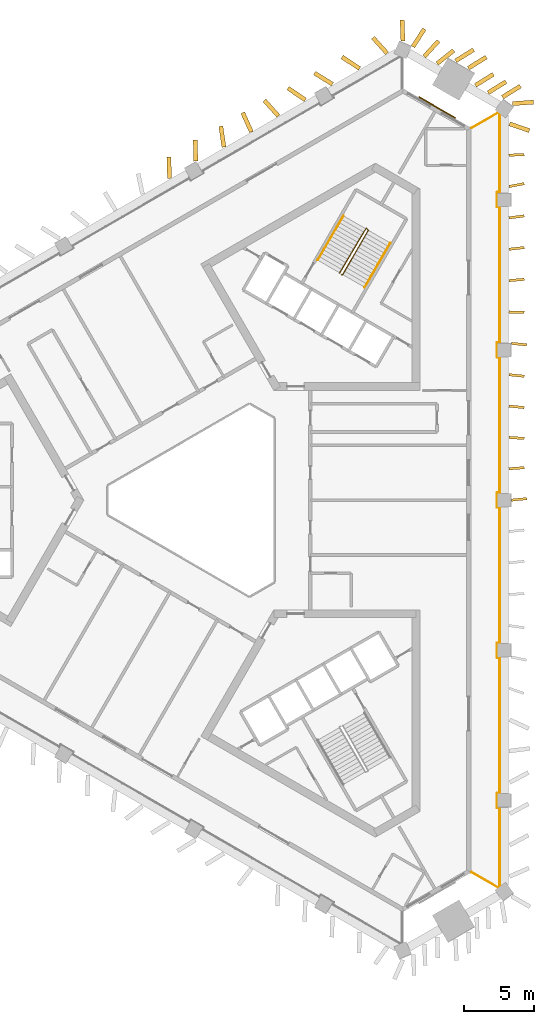
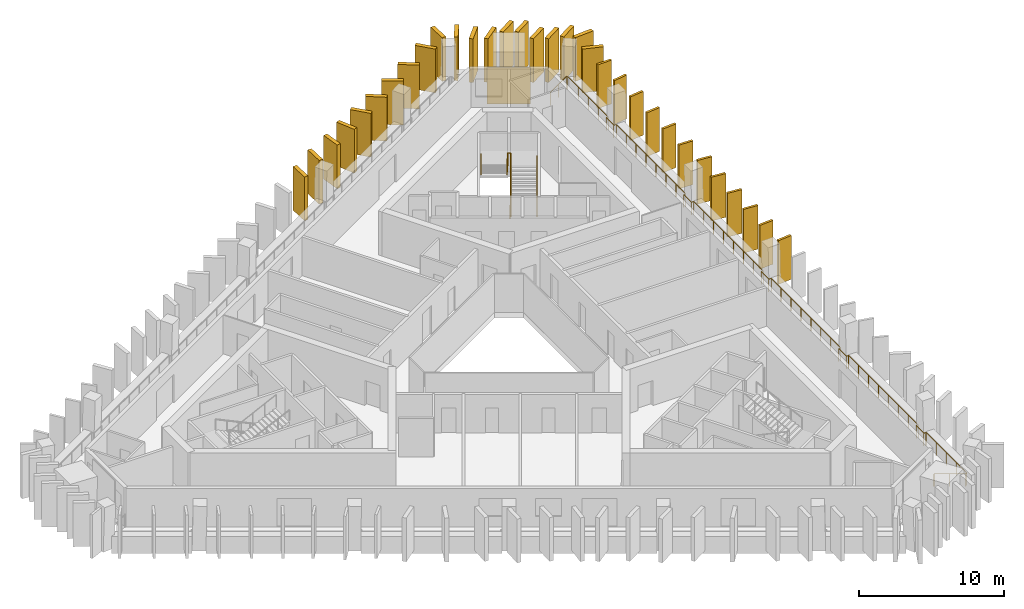
# One storey, part 9 of 9: 32 shading devices, 4 railings, 1 covering.
"""IFC4 building model written with IfcOpenShell, lengths in metres."""

import ifcopenshell
import ifcopenshell.guid

model = None  # the IFC model being written
_history = None  # IfcOwnerHistory: only IFC2X3 demands one
_inside = {}  # id of a spatial element -> (the spatial element, [elements in it])
_under = {}  # id of a project, library or spatial element -> (it, [spatial elements below it])
_declared = {}  # id of a project -> (the project, [libraries it declares])
_typed = {}  # id of a type object -> (the type object, [elements of that type])
_made_of = {}  # id of a material, layer set ... -> (it, [elements and type objects made of it])


def new_model(schema):
    """Start an empty IFC model of exactly this schema.

    Asked for "IFC4X3", IfcOpenShell would pick the latest addendum, in which some entities
    have other attributes; the version numbers below select the first issue.
    IFC2X3 requires an IfcOwnerHistory on every rooted entity: one is made here for all.
    """
    global model, _history
    if schema == "IFC4X3":
        model = ifcopenshell.file(schema_version=(4, 3, 0, 0))
    else:
        model = ifcopenshell.file(schema=schema)
    _inside.clear()
    _under.clear()
    _declared.clear()
    _typed.clear()
    _made_of.clear()
    _history = None
    if model.schema == "IFC2X3":
        org = make("IfcOrganization", Name="unknown")
        user = make(
            "IfcPersonAndOrganization",
            ThePerson=make("IfcPerson", FamilyName="unknown"),
            TheOrganization=org,
        )
        app = make(
            "IfcApplication",
            ApplicationDeveloper=org,
            Version="unknown",
            ApplicationFullName="unknown",
            ApplicationIdentifier="unknown",
        )
        _history = make(
            "IfcOwnerHistory",
            OwningUser=user,
            OwningApplication=app,
            ChangeAction="ADDED",
            CreationDate=0,
        )
    return model


def make(cls, **values):
    """One entity of the class cls with the attributes given. An attribute that is None is left unset."""
    return model.create_entity(
        cls, **{name: value for name, value in values.items() if value is not None}
    )


def rooted(cls, **values):
    """An entity with a GlobalId (a new one), such as an element, a storey or a relation."""
    return make(cls, GlobalId=ifcopenshell.guid.new(), OwnerHistory=_history, **values)


def si_unit(unit_type, name, prefix=None):
    """IfcSIUnit, for example si_unit("LENGTHUNIT", "METRE", prefix="MILLI")."""
    return make("IfcSIUnit", UnitType=unit_type, Prefix=prefix, Name=name)


def assignment(units):
    """IfcUnitAssignment: the units of a project."""
    return None if units is None else make("IfcUnitAssignment", Units=units)


def point(xyz):
    """IfcCartesianPoint."""
    return None if xyz is None else make("IfcCartesianPoint", Coordinates=xyz)


def direction(xyz):
    """IfcDirection."""
    return None if xyz is None else make("IfcDirection", DirectionRatios=xyz)


def frame(location, z_axis=None, x_axis=None):
    """IfcAxis2Placement3D, a coordinate frame: its origin and axes. An axis left out is left unset."""
    return make(
        "IfcAxis2Placement3D",
        Location=point(location),
        Axis=direction(z_axis),
        RefDirection=direction(x_axis),
    )


def frame_2d(location, x_axis=None):
    """IfcAxis2Placement2D, a coordinate frame in the plane: its origin and x axis."""
    return make(
        "IfcAxis2Placement2D", Location=point(location), RefDirection=direction(x_axis)
    )


def origin():
    """The frame at (0, 0, 0) with its axes left unset."""
    return frame((0.0, 0.0, 0.0))


def origin_2d():
    """The frame at (0, 0) in the plane with its x axis left unset."""
    return frame_2d((0.0, 0.0))


def place(relative_to, where):
    """IfcLocalPlacement: puts the frame where relative to a parent placement (None: the world)."""
    return make(
        "IfcLocalPlacement", PlacementRelTo=relative_to, RelativePlacement=where
    )


def context(
    kind, dimensions, precision=None, world=None, true_north=None, identifier=None
):
    """IfcGeometricRepresentationContext, for example the 3D "Model" context."""
    return make(
        "IfcGeometricRepresentationContext",
        ContextIdentifier=identifier,
        ContextType=kind,
        CoordinateSpaceDimension=dimensions,
        Precision=precision,
        WorldCoordinateSystem=world,
        TrueNorth=true_north,
    )


def subcontext(parent, identifier, kind, view, scale=None):
    """IfcGeometricRepresentationSubContext, for example "Body" below "Model"."""
    return make(
        "IfcGeometricRepresentationSubContext",
        ContextIdentifier=identifier,
        ContextType=kind,
        ParentContext=parent,
        TargetScale=scale,
        TargetView=view,
    )


def project(units=None, contexts=None):
    """IfcProject with its units and contexts."""
    return rooted(
        "IfcProject",
        Name="project",
        RepresentationContexts=contexts,
        UnitsInContext=assignment(units),
    )


def spatial(cls, under=None, at=None, **own):
    """A site, building, storey or space (cls), placed at a placement, below another one or the project."""
    s = rooted(cls, ObjectPlacement=at, **own)
    if under is not None:
        _under.setdefault(under.id(), (under, []))[1].append(s)
    return s


def profile(cls, at=None, kind="AREA", **sizes):
    """A parametric profile (cls). Its sizes go by their IFC names, for example OverallWidth=200.0."""
    return make(cls, ProfileType=kind, Position=at, **sizes)


def rectangle(**sizes):
    """IfcRectangleProfileDef."""
    return profile("IfcRectangleProfileDef", **sizes)


def circle(**sizes):
    """IfcCircleProfileDef."""
    return profile("IfcCircleProfileDef", **sizes)


def extrude(swept, where, along, depth):
    """IfcExtrudedAreaSolid: the profile swept, set in the frame where, extruded along a direction by depth."""
    return make(
        "IfcExtrudedAreaSolid",
        SweptArea=swept,
        Position=where,
        ExtrudedDirection=direction(along),
        Depth=depth,
    )


def shape(context_of_items, identifier, shape_type, items):
    """IfcShapeRepresentation: the items that make up one representation, for example the "Body"."""
    return make(
        "IfcShapeRepresentation",
        ContextOfItems=context_of_items,
        RepresentationIdentifier=identifier,
        RepresentationType=shape_type,
        Items=items,
    )


def material(Name=None, Category=None):
    """IfcMaterial."""
    return make("IfcMaterial", Name=Name, Category=Category)


def layer(
    of_material, thickness, ventilated=None, Name=None, Category=None, Priority=None
):
    """IfcMaterialLayer: one layer of a wall or slab, of a material (None: an air gap)."""
    return make(
        "IfcMaterialLayer",
        Material=of_material,
        LayerThickness=thickness,
        IsVentilated=ventilated,
        Name=Name,
        Category=Category,
        Priority=Priority,
    )


def layer_set(layers, Name=None):
    """IfcMaterialLayerSet."""
    return make("IfcMaterialLayerSet", MaterialLayers=layers, LayerSetName=Name)


def made_of(thing, what):
    """Note that an element or type object is made of a material, layer set ...; save() writes the relation."""
    if what is not None:
        _made_of.setdefault(what.id(), (what, []))[1].append(thing)
    return thing


def type_object(cls, material=None, **own):
    """A type object (cls), such as IfcWallType, which elements share."""
    return made_of(rooted(cls, **own), material)


def element(
    cls,
    number,
    at=None,
    inside=None,
    cuts=None,
    type_object=None,
    material=None,
    context=None,
    identifier="Body",
    shape_type=None,
    held_by="IfcProductDefinitionShape",
    body=None,
    shapes=None,
    **own,
):
    """One element of the class cls, such as IfcWall. Its Tag is "e" and its number.

    at: its placement. inside: the storey or other place that contains it. cuts: it is an
    opening in that element (IfcRelVoidsElement). A single representation is given by context,
    identifier, shape_type and body (its items); several are given by shapes. held_by: the class
    of the entity that holds the representations. save() writes the other relations.
    """
    e = rooted(cls, Tag="e%d" % number, ObjectPlacement=at, **own)
    if body is not None:
        shapes = [shape(context, identifier, shape_type, body)]
    if shapes is not None:
        e.Representation = make(held_by, Representations=shapes)
    if inside is not None:
        _inside.setdefault(inside.id(), (inside, []))[1].append(e)
    if cuts is not None:
        rooted(
            "IfcRelVoidsElement", RelatingBuildingElement=cuts, RelatedOpeningElement=e
        )
    if type_object is not None:
        _typed.setdefault(type_object.id(), (type_object, []))[1].append(e)
    return made_of(e, material)


def aggregate(whole, parts):
    """IfcRelAggregates: a whole, such as a stair, and the parts it consists of."""
    return rooted("IfcRelAggregates", RelatingObject=whole, RelatedObjects=parts)


def save(model, path):
    """Write the relations noted so far, then the file.

    IfcRelAggregates (storeys below a building ...), IfcRelContainedInSpatialStructure (elements
    in a storey), IfcRelDefinesByType, IfcRelAssociatesMaterial and IfcRelDeclares: one each for
    every whole, place, type object, material and project.
    """
    for whole, parts in _under.values():
        aggregate(whole, parts)
    for where, things in _inside.values():
        rooted(
            "IfcRelContainedInSpatialStructure",
            RelatedElements=things,
            RelatingStructure=where,
        )
    for kind, things in _typed.values():
        rooted("IfcRelDefinesByType", RelatedObjects=things, RelatingType=kind)
    for what, things in _made_of.values():
        rooted("IfcRelAssociatesMaterial", RelatedObjects=things, RelatingMaterial=what)
    for by, libraries in _declared.values():
        rooted("IfcRelDeclares", RelatingContext=by, RelatedDefinitions=libraries)
    model.write(path)


model = new_model("IFC4")

# Units and contexts
model_context = context("Model", 3, precision=1e-05, world=origin(), true_north=direction((0.0, 1.0)))
body_context = subcontext(model_context, "Body", "Model", "MODEL_VIEW")
ifc_project = project(units=[si_unit("LENGTHUNIT", "METRE"), si_unit("AREAUNIT", "SQUARE_METRE"), si_unit("VOLUMEUNIT", "CUBIC_METRE"), si_unit("PLANEANGLEUNIT", "RADIAN"), si_unit("MASSUNIT", "GRAM", prefix="KILO")], contexts=[model_context])

# Site, building, storey
site_placement = place(None, origin())
site = spatial("IfcSite", under=ifc_project, at=site_placement, CompositionType="ELEMENT")
building_placement = place(site_placement, origin())
building = spatial("IfcBuilding", under=site, at=building_placement, Name="Jabali Bay Hotel Tower and Convention Centre", CompositionType="ELEMENT")
storey_placement = place(building_placement, frame((0.0, 0.0, 185.89990234375)))
storey = spatial("IfcBuildingStorey", under=building, at=storey_placement, Name="L45", CompositionType="ELEMENT", Elevation=185.89990234375)

# Railing
ifc_material_1 = material(Name="Glass", Category="glass")
railing_type_1 = type_object("IfcRailingType", Name="Loggia glass guard 1100", PredefinedType="BALUSTRADE", material=ifc_material_1)
railing_1_placement = place(storey_placement, frame((93.552490234375, 106.44580078125, 0.0)))
element("IfcRailing", 1, at=railing_1_placement, inside=storey, type_object=railing_type_1, Name="Loggia glass guard L45", PredefinedType="BALUSTRADE", context=body_context, shape_type="SweptSolid", body=[
    extrude(circle(Radius=0.02490234375, at=origin_2d()), frame((0.0, 0.0, 1.0751953125), z_axis=(0.866035418383, 0.499982653806, 0.0), x_axis=(-0.495705232892, 0.858626365323, 0.13052619222)), (0.0, 0.0, 1.0), 2.19287109375),
    extrude(circle(Radius=0.02490234375, at=origin_2d()), frame((1.899169921875, 1.096435546875, 1.0751953125), z_axis=(0.799767562016, -0.600309792313, 0.0), x_axis=(0.595174058821, 0.792925439655, 0.13052619222)), (0.0, 0.0, 1.0), 0.1259765625),
    extrude(circle(Radius=0.02490234375, at=origin_2d()), frame((2.0, 1.020751953125, 1.0751953125), z_axis=(0.0, -1.0, 0.0), x_axis=(0.991444861374, 0.0, 0.13052619222)), (0.0, 0.0, 1.0), 5.586669921875),
    extrude(circle(Radius=0.02490234375, at=origin_2d()), frame((2.0, -4.56591796875, 1.0751953125), z_axis=(-1.0, 0.0, 0.0), x_axis=(0.0, -0.991444861374, 0.13052619222)), (0.0, 0.0, 1.0), 0.175048828125),
    extrude(circle(Radius=0.02490234375, at=origin_2d()), frame((1.824951171875, -4.56591796875, 1.0751953125), z_axis=(0.0, -1.0, 0.0), x_axis=(0.991444861374, 0.0, 0.13052619222)), (0.0, 0.0, 1.0), 1.050048828125),
    extrude(circle(Radius=0.02490234375, at=origin_2d()), frame((1.824951171875, -5.615966796875, 1.0751953125), z_axis=(1.0, 0.0, 0.0), x_axis=(0.0, 0.991444861374, 0.13052619222)), (0.0, 0.0, 1.0), 0.175048828125),
    extrude(circle(Radius=0.02490234375, at=origin_2d()), frame((2.0, -5.615966796875, 1.0751953125), z_axis=(0.0, -1.0, 0.0), x_axis=(0.991444861374, 0.0, 0.13052619222)), (0.0, 0.0, 1.0), 9.62744140625),
    extrude(circle(Radius=0.02490234375, at=origin_2d()), frame((2.0, -15.243408203125, 1.0751953125), z_axis=(-1.0, 0.0, 0.0), x_axis=(0.0, -0.991444861374, 0.13052619222)), (0.0, 0.0, 1.0), 0.175048828125),
    extrude(circle(Radius=0.02490234375, at=origin_2d()), frame((1.824951171875, -15.243408203125, 1.0751953125), z_axis=(0.0, -1.0, 0.0), x_axis=(0.991444861374, 0.0, 0.13052619222)), (0.0, 0.0, 1.0), 1.050048828125),
    extrude(circle(Radius=0.02490234375, at=origin_2d()), frame((1.824951171875, -16.29345703125, 1.0751953125), z_axis=(1.0, 0.0, 0.0), x_axis=(0.0, 0.991444861374, 0.13052619222)), (0.0, 0.0, 1.0), 0.175048828125),
    extrude(circle(Radius=0.02490234375, at=origin_2d()), frame((2.0, -16.29345703125, 1.0751953125), z_axis=(0.0, -1.0, 0.0), x_axis=(0.991444861374, 0.0, 0.13052619222)), (0.0, 0.0, 1.0), 9.62744140625),
    extrude(circle(Radius=0.02490234375, at=origin_2d()), frame((2.0, -25.9208984375, 1.0751953125), z_axis=(-1.0, 0.0, 0.0), x_axis=(0.0, -0.991444861374, 0.13052619222)), (0.0, 0.0, 1.0), 0.175048828125),
    extrude(circle(Radius=0.02490234375, at=origin_2d()), frame((1.824951171875, -25.9208984375, 1.0751953125), z_axis=(0.0, -1.0, 0.0), x_axis=(0.991444861374, 0.0, 0.13052619222)), (0.0, 0.0, 1.0), 1.0498046875),
    extrude(circle(Radius=0.02490234375, at=origin_2d()), frame((1.824951171875, -26.970703125, 1.0751953125), z_axis=(1.0, 0.0, 0.0), x_axis=(0.0, 0.991444861374, 0.13052619222)), (0.0, 0.0, 1.0), 0.175048828125),
    extrude(circle(Radius=0.02490234375, at=origin_2d()), frame((2.0, -26.970703125, 1.0751953125), z_axis=(0.0, -1.0, 0.0), x_axis=(0.991444861374, 0.0, 0.13052619222)), (0.0, 0.0, 1.0), 9.62744140625),
    extrude(circle(Radius=0.02490234375, at=origin_2d()), frame((2.0, -36.59814453125, 1.0751953125), z_axis=(-1.0, 0.0, 0.0), x_axis=(0.0, -0.991444861374, 0.13052619222)), (0.0, 0.0, 1.0), 0.175048828125),
    extrude(circle(Radius=0.02490234375, at=origin_2d()), frame((1.824951171875, -36.59814453125, 1.0751953125), z_axis=(0.0, -1.0, 0.0), x_axis=(0.991444861374, 0.0, 0.13052619222)), (0.0, 0.0, 1.0), 1.050048828125),
    extrude(circle(Radius=0.02490234375, at=origin_2d()), frame((1.824951171875, -37.648193359375, 1.0751953125), z_axis=(1.0, 0.0, 0.0), x_axis=(0.0, 0.991444861374, 0.13052619222)), (0.0, 0.0, 1.0), 0.175048828125),
    extrude(circle(Radius=0.02490234375, at=origin_2d()), frame((2.0, -37.648193359375, 1.0751953125), z_axis=(0.0, -1.0, 0.0), x_axis=(0.991444861374, 0.0, 0.13052619222)), (0.0, 0.0, 1.0), 9.62744140625),
    extrude(circle(Radius=0.02490234375, at=origin_2d()), frame((2.0, -47.275634765625, 1.0751953125), z_axis=(-1.0, 0.0, 0.0), x_axis=(0.0, -0.991444861374, 0.13052619222)), (0.0, 0.0, 1.0), 0.175048828125),
    extrude(circle(Radius=0.02490234375, at=origin_2d()), frame((1.824951171875, -47.275634765625, 1.0751953125), z_axis=(0.0, -1.0, 0.0), x_axis=(0.991444861374, 0.0, 0.13052619222)), (0.0, 0.0, 1.0), 1.050048828125),
    extrude(circle(Radius=0.02490234375, at=origin_2d()), frame((1.824951171875, -48.32568359375, 1.0751953125), z_axis=(1.0, 0.0, 0.0), x_axis=(0.0, 0.991444861374, 0.13052619222)), (0.0, 0.0, 1.0), 0.175048828125),
    extrude(circle(Radius=0.02490234375, at=origin_2d()), frame((2.0, -48.32568359375, 1.0751953125), z_axis=(0.0, -1.0, 0.0), x_axis=(0.991444861374, 0.0, 0.13052619222)), (0.0, 0.0, 1.0), 5.586669921875),
    extrude(circle(Radius=0.02490234375, at=origin_2d()), frame((2.0, -53.912353515625, 1.0751953125), z_axis=(-0.799767562016, -0.600309792313, 0.0), x_axis=(0.595174058821, -0.792925439655, 0.13052619222)), (0.0, 0.0, 1.0), 0.1259765625),
    extrude(circle(Radius=0.02490234375, at=origin_2d()), frame((1.899169921875, -53.988037109375, 1.0751953125), z_axis=(-0.866035418383, 0.499982653806, 0.0), x_axis=(-0.495705232892, -0.858626365323, 0.13052619222)), (0.0, 0.0, 1.0), 2.19287109375),
    extrude(circle(Radius=0.02001953125, at=origin_2d()), origin(), (0.0, 0.0, 1.0), 1.050048828125),
    extrude(circle(Radius=0.02001953125, at=origin_2d()), frame((0.94970703125, 0.54833984375, 0.0)), (0.0, 0.0, 1.0), 1.050048828125),
    extrude(circle(Radius=0.02001953125, at=origin_2d()), frame((1.899169921875, 1.096435546875, 0.0)), (0.0, 0.0, 1.0), 1.050048828125),
    extrude(circle(Radius=0.02001953125, at=origin_2d()), frame((2.0, 1.020751953125, 0.0)), (0.0, 0.0, 1.0), 1.050048828125),
    extrude(circle(Radius=0.02001953125, at=origin_2d()), frame((2.0, -0.3759765625, 0.0)), (0.0, 0.0, 1.0), 1.050048828125),
    extrude(circle(Radius=0.02001953125, at=origin_2d()), frame((2.0, -1.7724609375, 0.0)), (0.0, 0.0, 1.0), 1.050048828125),
    extrude(circle(Radius=0.02001953125, at=origin_2d()), frame((2.0, -3.169189453125, 0.0)), (0.0, 0.0, 1.0), 1.050048828125),
    extrude(circle(Radius=0.02001953125, at=origin_2d()), frame((2.0, -4.56591796875, 0.0)), (0.0, 0.0, 1.0), 1.050048828125),
    extrude(circle(Radius=0.02001953125, at=origin_2d()), frame((1.824951171875, -4.56591796875, 0.0)), (0.0, 0.0, 1.0), 1.050048828125),
    extrude(circle(Radius=0.02001953125, at=origin_2d()), frame((1.824951171875, -5.615966796875, 0.0)), (0.0, 0.0, 1.0), 1.050048828125),
    extrude(circle(Radius=0.02001953125, at=origin_2d()), frame((2.0, -5.615966796875, 0.0)), (0.0, 0.0, 1.0), 1.050048828125),
    extrude(circle(Radius=0.02001953125, at=origin_2d()), frame((2.0, -6.9912109375, 0.0)), (0.0, 0.0, 1.0), 1.050048828125),
    extrude(circle(Radius=0.02001953125, at=origin_2d()), frame((2.0, -8.36669921875, 0.0)), (0.0, 0.0, 1.0), 1.050048828125),
    extrude(circle(Radius=0.02001953125, at=origin_2d()), frame((2.0, -9.741943359375, 0.0)), (0.0, 0.0, 1.0), 1.050048828125),
    extrude(circle(Radius=0.02001953125, at=origin_2d()), frame((2.0, -11.117431640625, 0.0)), (0.0, 0.0, 1.0), 1.050048828125),
    extrude(circle(Radius=0.02001953125, at=origin_2d()), frame((2.0, -12.49267578125, 0.0)), (0.0, 0.0, 1.0), 1.050048828125),
    extrude(circle(Radius=0.02001953125, at=origin_2d()), frame((2.0, -13.8681640625, 0.0)), (0.0, 0.0, 1.0), 1.050048828125),
    extrude(circle(Radius=0.02001953125, at=origin_2d()), frame((2.0, -15.243408203125, 0.0)), (0.0, 0.0, 1.0), 1.050048828125),
    extrude(circle(Radius=0.02001953125, at=origin_2d()), frame((1.824951171875, -15.243408203125, 0.0)), (0.0, 0.0, 1.0), 1.050048828125),
    extrude(circle(Radius=0.02001953125, at=origin_2d()), frame((1.824951171875, -16.29345703125, 0.0)), (0.0, 0.0, 1.0), 1.050048828125),
    extrude(circle(Radius=0.02001953125, at=origin_2d()), frame((2.0, -16.29345703125, 0.0)), (0.0, 0.0, 1.0), 1.050048828125),
    extrude(circle(Radius=0.02001953125, at=origin_2d()), frame((2.0, -17.668701171875, 0.0)), (0.0, 0.0, 1.0), 1.050048828125),
    extrude(circle(Radius=0.02001953125, at=origin_2d()), frame((2.0, -19.044189453125, 0.0)), (0.0, 0.0, 1.0), 1.050048828125),
    extrude(circle(Radius=0.02001953125, at=origin_2d()), frame((2.0, -20.41943359375, 0.0)), (0.0, 0.0, 1.0), 1.050048828125),
    extrude(circle(Radius=0.02001953125, at=origin_2d()), frame((2.0, -21.794921875, 0.0)), (0.0, 0.0, 1.0), 1.050048828125),
    extrude(circle(Radius=0.02001953125, at=origin_2d()), frame((2.0, -23.170166015625, 0.0)), (0.0, 0.0, 1.0), 1.050048828125),
    extrude(circle(Radius=0.02001953125, at=origin_2d()), frame((2.0, -24.545654296875, 0.0)), (0.0, 0.0, 1.0), 1.050048828125),
    extrude(circle(Radius=0.02001953125, at=origin_2d()), frame((2.0, -25.9208984375, 0.0)), (0.0, 0.0, 1.0), 1.050048828125),
    extrude(circle(Radius=0.02001953125, at=origin_2d()), frame((1.824951171875, -25.9208984375, 0.0)), (0.0, 0.0, 1.0), 1.050048828125),
    extrude(circle(Radius=0.02001953125, at=origin_2d()), frame((1.824951171875, -26.970703125, 0.0)), (0.0, 0.0, 1.0), 1.050048828125),
    extrude(circle(Radius=0.02001953125, at=origin_2d()), frame((2.0, -26.970703125, 0.0)), (0.0, 0.0, 1.0), 1.050048828125),
    extrude(circle(Radius=0.02001953125, at=origin_2d()), frame((2.0, -28.345947265625, 0.0)), (0.0, 0.0, 1.0), 1.050048828125),
    extrude(circle(Radius=0.02001953125, at=origin_2d()), frame((2.0, -29.721435546875, 0.0)), (0.0, 0.0, 1.0), 1.050048828125),
    extrude(circle(Radius=0.02001953125, at=origin_2d()), frame((2.0, -31.0966796875, 0.0)), (0.0, 0.0, 1.0), 1.050048828125),
    extrude(circle(Radius=0.02001953125, at=origin_2d()), frame((2.0, -32.47216796875, 0.0)), (0.0, 0.0, 1.0), 1.050048828125),
    extrude(circle(Radius=0.02001953125, at=origin_2d()), frame((2.0, -33.847412109375, 0.0)), (0.0, 0.0, 1.0), 1.050048828125),
    extrude(circle(Radius=0.02001953125, at=origin_2d()), frame((2.0, -35.222900390625, 0.0)), (0.0, 0.0, 1.0), 1.050048828125),
    extrude(circle(Radius=0.02001953125, at=origin_2d()), frame((2.0, -36.59814453125, 0.0)), (0.0, 0.0, 1.0), 1.050048828125),
    extrude(circle(Radius=0.02001953125, at=origin_2d()), frame((1.824951171875, -36.59814453125, 0.0)), (0.0, 0.0, 1.0), 1.050048828125),
    extrude(circle(Radius=0.02001953125, at=origin_2d()), frame((1.824951171875, -37.648193359375, 0.0)), (0.0, 0.0, 1.0), 1.050048828125),
    extrude(circle(Radius=0.02001953125, at=origin_2d()), frame((2.0, -37.648193359375, 0.0)), (0.0, 0.0, 1.0), 1.050048828125),
    extrude(circle(Radius=0.02001953125, at=origin_2d()), frame((2.0, -39.0234375, 0.0)), (0.0, 0.0, 1.0), 1.050048828125),
    extrude(circle(Radius=0.02001953125, at=origin_2d()), frame((2.0, -40.39892578125, 0.0)), (0.0, 0.0, 1.0), 1.050048828125),
    extrude(circle(Radius=0.02001953125, at=origin_2d()), frame((2.0, -41.774169921875, 0.0)), (0.0, 0.0, 1.0), 1.050048828125),
    extrude(circle(Radius=0.02001953125, at=origin_2d()), frame((2.0, -43.149658203125, 0.0)), (0.0, 0.0, 1.0), 1.050048828125),
    extrude(circle(Radius=0.02001953125, at=origin_2d()), frame((2.0, -44.52490234375, 0.0)), (0.0, 0.0, 1.0), 1.050048828125),
    extrude(circle(Radius=0.02001953125, at=origin_2d()), frame((2.0, -45.900390625, 0.0)), (0.0, 0.0, 1.0), 1.050048828125),
    extrude(circle(Radius=0.02001953125, at=origin_2d()), frame((2.0, -47.275634765625, 0.0)), (0.0, 0.0, 1.0), 1.050048828125),
    extrude(circle(Radius=0.02001953125, at=origin_2d()), frame((1.824951171875, -47.275634765625, 0.0)), (0.0, 0.0, 1.0), 1.050048828125),
    extrude(circle(Radius=0.02001953125, at=origin_2d()), frame((1.824951171875, -48.32568359375, 0.0)), (0.0, 0.0, 1.0), 1.050048828125),
    extrude(circle(Radius=0.02001953125, at=origin_2d()), frame((2.0, -48.32568359375, 0.0)), (0.0, 0.0, 1.0), 1.050048828125),
    extrude(circle(Radius=0.02001953125, at=origin_2d()), frame((2.0, -49.722412109375, 0.0)), (0.0, 0.0, 1.0), 1.050048828125),
    extrude(circle(Radius=0.02001953125, at=origin_2d()), frame((2.0, -51.119140625, 0.0)), (0.0, 0.0, 1.0), 1.050048828125),
    extrude(circle(Radius=0.02001953125, at=origin_2d()), frame((2.0, -52.515625, 0.0)), (0.0, 0.0, 1.0), 1.050048828125),
    extrude(circle(Radius=0.02001953125, at=origin_2d()), frame((2.0, -53.912353515625, 0.0)), (0.0, 0.0, 1.0), 1.050048828125),
    extrude(circle(Radius=0.02001953125, at=origin_2d()), frame((1.899169921875, -53.988037109375, 0.0)), (0.0, 0.0, 1.0), 1.050048828125),
    extrude(circle(Radius=0.02001953125, at=origin_2d()), frame((0.94970703125, -53.43994140625, 0.0)), (0.0, 0.0, 1.0), 1.050048828125),
    extrude(circle(Radius=0.02001953125, at=origin_2d()), frame((0.0, -52.8916015625, 0.0)), (0.0, 0.0, 1.0), 1.050048828125),
])

# Shading devices
ifc_material_2 = material(Name="Precast concrete C60", Category="concrete")
ifc_layer_1 = layer(ifc_material_2, 0.179931640625)
ifc_layer_set_1 = layer_set([ifc_layer_1], Name="Precast concrete C60")
shading_device_type_1 = type_object("IfcShadingDeviceType", Name="Precast fin 3680 x 1100", PredefinedType="USERDEFINED", material=ifc_layer_set_1)
shading_device_1_placement = place(storey_placement, frame((96.386474609375, 80.0, 0.010009765625), z_axis=(0.0, 0.0, 1.0), x_axis=(0.995021795338, 0.099657547648, 0.0)))
element("IfcShadingDevice", 2, at=shading_device_1_placement, inside=storey, type_object=shading_device_type_1, Name="Fin L45 012", ObjectType="FIN", PredefinedType="USERDEFINED", context=body_context, shape_type="SweptSolid", body=[
    extrude(rectangle(XDim=1.099853515625, YDim=0.179931640625, at=frame_2d((0.5498046875, 0.0))), origin(), (0.0, 0.0, 1.0), 3.68017578125),
])
shading_device_2_placement = place(storey_placement, frame((96.201416015625, 82.228759765625, 0.010009765625), z_axis=(0.0, 0.0, 1.0), x_axis=(0.997395219426, 0.072130272878, 0.0)))
element("IfcShadingDevice", 3, at=shading_device_2_placement, inside=storey, type_object=shading_device_type_1, Name="Fin L45 013", ObjectType="FIN", PredefinedType="USERDEFINED", context=body_context, shape_type="SweptSolid", body=[
    extrude(rectangle(XDim=1.10009765625, YDim=0.179931640625, at=frame_2d((0.550048828125, 0.0))), origin(), (0.0, 0.0, 1.0), 3.68017578125),
])
shading_device_3_placement = place(storey_placement, frame((96.20068359375, 84.457763671875, 0.010009765625), z_axis=(0.0, 0.0, 1.0), x_axis=(0.997884176529, -0.065016691955, 0.0)))
element("IfcShadingDevice", 4, at=shading_device_3_placement, inside=storey, type_object=shading_device_type_1, Name="Fin L45 014", ObjectType="FIN", PredefinedType="USERDEFINED", context=body_context, shape_type="SweptSolid", body=[
    extrude(rectangle(XDim=1.100341796875, YDim=0.179931640625, at=frame_2d((0.55029296875, 0.0))), origin(), (0.0, 0.0, 1.0), 3.68017578125),
])
for number, where, z_axis, x_axis, name in (
    (5, (96.203857421875, 86.6865234375, 0.010009765625), (0.0, 0.0, 1.0), (0.995089783967, -0.098976370127, 0.0), "Fin L45 015"),
    (6, (96.203857421875, 88.915283203125, 0.010009765625), (0.0, 0.0, 1.0), (0.995089783967, -0.098976370127, 0.0), "Fin L45 016"),
    (7, (96.38623046875, 91.14404296875, 0.010009765625), (0.0, 0.0, 1.0), (0.995045974857, -0.099415833349, 0.0), "Fin L45 017"),
    (8, (96.19775390625, 93.373046875, 0.010009765625), (0.0, 0.0, 1.0), (0.999482188348, -0.03217693546, 0.0), "Fin L45 018"),
):
    element("IfcShadingDevice", number, at=place(storey_placement, frame(where, z_axis=z_axis, x_axis=x_axis)), inside=storey, type_object=shading_device_type_1, Name=name, ObjectType="FIN", PredefinedType="USERDEFINED", context=body_context, shape_type="SweptSolid", body=[
        extrude(rectangle(XDim=1.10009765625, YDim=0.179931640625, at=frame_2d((0.550048828125, 0.0))), origin(), (0.0, 0.0, 1.0), 3.68017578125),
    ])
for number, where, z_axis, x_axis, name in (
    (9, (96.20263671875, 95.601806640625, 0.010009765625), (0.0, 0.0, 1.0), (0.996417533917, 0.084570078062, 0.0), "Fin L45 019"),
    (10, (96.204833984375, 97.83056640625, 0.010009765625), (0.0, 0.0, 1.0), (0.993994219128, 0.109432592682, 0.0), "Fin L45 020"),
):
    element("IfcShadingDevice", number, at=place(storey_placement, frame(where, z_axis=z_axis, x_axis=x_axis)), inside=storey, type_object=shading_device_type_1, Name=name, ObjectType="FIN", PredefinedType="USERDEFINED", context=body_context, shape_type="SweptSolid", body=[
        extrude(rectangle(XDim=1.099853515625, YDim=0.179931640625, at=frame_2d((0.5498046875, 0.0))), origin(), (0.0, 0.0, 1.0), 3.68017578125),
    ])
shading_device_4_placement = place(storey_placement, frame((96.20654296875, 100.059326171875, 0.010009765625), z_axis=(0.0, 0.0, 1.0), x_axis=(0.991565725433, 0.129604830719, 0.0)))
element("IfcShadingDevice", 11, at=shading_device_4_placement, inside=storey, type_object=shading_device_type_1, Name="Fin L45 021", ObjectType="FIN", PredefinedType="USERDEFINED", context=body_context, shape_type="SweptSolid", body=[
    extrude(rectangle(XDim=1.10009765625, YDim=0.179931640625, at=frame_2d((0.550048828125, 0.0))), origin(), (0.0, 0.0, 1.0), 3.68017578125),
])
shading_device_5_placement = place(storey_placement, frame((96.2119140625, 102.288330078125, 0.010009765625), z_axis=(0.0, 0.0, 1.0), x_axis=(0.982251028167, 0.187571100294, 0.0)))
element("IfcShadingDevice", 12, at=shading_device_5_placement, inside=storey, type_object=shading_device_type_1, Name="Fin L45 022", ObjectType="FIN", PredefinedType="USERDEFINED", context=body_context, shape_type="SweptSolid", body=[
    extrude(rectangle(XDim=1.099853515625, YDim=0.179931640625, at=frame_2d((0.5498046875, 0.0))), origin(), (0.0, 0.0, 1.0), 3.68017578125),
])
shading_device_6_placement = place(storey_placement, frame((96.19775390625, 104.51708984375, 0.010009765625), z_axis=(0.0, 0.0, 1.0), x_axis=(0.999482188348, 0.03217693546, 0.0)))
element("IfcShadingDevice", 13, at=shading_device_6_placement, inside=storey, type_object=shading_device_type_1, Name="Fin L45 023", ObjectType="FIN", PredefinedType="USERDEFINED", context=body_context, shape_type="SweptSolid", body=[
    extrude(rectangle(XDim=1.10009765625, YDim=0.179931640625, at=frame_2d((0.550048828125, 0.0))), origin(), (0.0, 0.0, 1.0), 3.68017578125),
])
ifc_layer_2 = layer(ifc_material_2, 0.300048828125)
ifc_layer_set_2 = layer_set([ifc_layer_2], Name="Precast concrete C60")
shading_device_type_2 = type_object("IfcShadingDeviceType", Name="Precast fin 3680 x 1500", PredefinedType="USERDEFINED", material=ifc_layer_set_2)
for number, where, z_axis, x_axis, name in (
    (14, (96.2431640625, 106.745849609375, 0.010009765625), (0.0, 0.0, 1.0), (0.946712215025, -0.322080707157, 0.0), "Fin L45 024"),
    (15, (95.7490234375, 108.63720703125, 0.010009765625), (0.0, 0.0, 1.0), (0.850140244576, 0.526556326097, 0.0), "Fin L45 025"),
    (16, (94.7265625, 108.952392578125, 0.010009765625), (0.0, 0.0, 1.0), (0.850140244576, 0.526556326097, 0.0), "Fin L45 026"),
    (17, (93.8232421875, 109.473876953125, 0.010009765625), (0.0, 0.0, 1.0), (0.850140244576, 0.526556326097, 0.0), "Fin L45 027"),
):
    element("IfcShadingDevice", number, at=place(storey_placement, frame(where, z_axis=z_axis, x_axis=x_axis)), inside=storey, type_object=shading_device_type_2, Name=name, ObjectType="FIN", PredefinedType="USERDEFINED", context=body_context, shape_type="SweptSolid", body=[
        extrude(rectangle(XDim=1.5, YDim=0.300048828125, at=frame_2d((0.75, 0.0))), origin(), (0.0, 0.0, 1.0), 3.68017578125),
    ])
shading_device_7_placement = place(storey_placement, frame((93.326171875, 110.698974609375, 0.010009765625), z_axis=(0.0, 0.0, 1.0), x_axis=(0.850185364679, 0.526483471427, 0.0)))
element("IfcShadingDevice", 18, at=shading_device_7_placement, inside=storey, type_object=shading_device_type_2, Name="Fin L45 028", ObjectType="FIN", PredefinedType="USERDEFINED", context=body_context, shape_type="SweptSolid", body=[
    extrude(rectangle(XDim=1.500244140625, YDim=0.300048828125, at=frame_2d((0.75, 0.0))), origin(), (0.0, 0.0, 1.0), 3.68017578125),
])
for number, where, z_axis, x_axis, name in (
    (19, (92.423095703125, 111.220458984375, 0.010009765625), (0.0, 0.0, 1.0), (0.850140244576, 0.526556326097, 0.0), "Fin L45 029"),
    (20, (91.105712890625, 111.02490234375, 0.010009765625), (0.0, 0.0, 1.0), (0.784365865748, 0.620298467393, 0.0), "Fin L45 030"),
    (21, (90.19091796875, 111.5263671875, 0.010009765625), (0.0, 0.0, 1.0), (0.675252820124, 0.737586353531, 0.0), "Fin L45 031"),
    (22, (89.3896484375, 112.224609375, 0.010009765625), (0.0, 0.0, 1.0), (0.539852441049, 0.841759669914, 0.0), "Fin L45 032"),
    (23, (87.549560546875, 111.75537109375, 0.010009765625), (0.0, 0.0, 1.0), (-0.669620931859, 0.74270304134, 0.0), "Fin L45 033"),
    (24, (85.601318359375, 110.67236328125, 0.010009765625), (0.0, 0.0, 1.0), (-0.835812181633, 0.549015479776, 0.0), "Fin L45 034"),
    (25, (83.669189453125, 109.56103515625, 0.010009765625), (0.0, 0.0, 1.0), (-0.850140244576, 0.526556326097, 0.0), "Fin L45 035"),
):
    element("IfcShadingDevice", number, at=place(storey_placement, frame(where, z_axis=z_axis, x_axis=x_axis)), inside=storey, type_object=shading_device_type_2, Name=name, ObjectType="FIN", PredefinedType="USERDEFINED", context=body_context, shape_type="SweptSolid", body=[
        extrude(rectangle(XDim=1.5, YDim=0.300048828125, at=frame_2d((0.75, 0.0))), origin(), (0.0, 0.0, 1.0), 3.68017578125),
    ])
shading_device_8_placement = place(storey_placement, frame((81.741943359375, 108.44140625, 0.010009765625), z_axis=(0.0, 0.0, 1.0), x_axis=(-0.82639945634, 0.563084308573, 0.0)))
element("IfcShadingDevice", 26, at=shading_device_8_placement, inside=storey, type_object=shading_device_type_2, Name="Fin L45 036", ObjectType="FIN", PredefinedType="USERDEFINED", context=body_context, shape_type="SweptSolid", body=[
    extrude(rectangle(XDim=1.500244140625, YDim=0.300048828125, at=frame_2d((0.75, 0.0))), origin(), (0.0, 0.0, 1.0), 3.68017578125),
])
shading_device_9_placement = place(storey_placement, frame((79.828857421875, 107.297119140625, 0.010009765625), z_axis=(0.0, 0.0, 1.0), x_axis=(-0.666452267505, 0.74554770145, 0.0)))
element("IfcShadingDevice", 27, at=shading_device_9_placement, inside=storey, type_object=shading_device_type_2, Name="Fin L45 037", ObjectType="FIN", PredefinedType="USERDEFINED", context=body_context, shape_type="SweptSolid", body=[
    extrude(rectangle(XDim=1.5, YDim=0.300048828125, at=frame_2d((0.75, 0.0))), origin(), (0.0, 0.0, 1.0), 3.68017578125),
])
shading_device_10_placement = place(storey_placement, frame((77.906494140625, 106.16943359375, 0.010009765625), z_axis=(0.0, 0.0, 1.0), x_axis=(-0.410378214406, 0.911915413369, 0.0)))
element("IfcShadingDevice", 28, at=shading_device_10_placement, inside=storey, type_object=shading_device_type_2, Name="Fin L45 038", ObjectType="FIN", PredefinedType="USERDEFINED", context=body_context, shape_type="SweptSolid", body=[
    extrude(rectangle(XDim=1.499755859375, YDim=0.300048828125, at=frame_2d((0.75, 0.0))), origin(), (0.0, 0.0, 1.0), 3.68017578125),
])
shading_device_11_placement = place(storey_placement, frame((75.956298828125, 105.089599609375, 0.010009765625), z_axis=(0.0, 0.0, 1.0), x_axis=(-0.146637134964, 0.98919035107, 0.0)))
element("IfcShadingDevice", 29, at=shading_device_11_placement, inside=storey, type_object=shading_device_type_2, Name="Fin L45 039", ObjectType="FIN", PredefinedType="USERDEFINED", context=body_context, shape_type="SweptSolid", body=[
    extrude(rectangle(XDim=1.5, YDim=0.300048828125, at=frame_2d((0.75, 0.0))), origin(), (0.0, 0.0, 1.0), 3.68017578125),
])
shading_device_12_placement = place(storey_placement, frame((73.960205078125, 104.089111328125, 0.010009765625), z_axis=(0.0, 0.0, 1.0), x_axis=(-0.03091975827, 0.99952186997, 0.0)))
element("IfcShadingDevice", 30, at=shading_device_12_placement, inside=storey, type_object=shading_device_type_2, Name="Fin L45 040", ObjectType="FIN", PredefinedType="USERDEFINED", context=body_context, shape_type="SweptSolid", body=[
    extrude(rectangle(XDim=1.500244140625, YDim=0.300048828125, at=frame_2d((0.75, 0.0))), origin(), (0.0, 0.0, 1.0), 3.68017578125),
])
shading_device_13_placement = place(storey_placement, frame((72.087890625, 102.87451171875, 0.010009765625), z_axis=(0.0, 0.0, 1.0), x_axis=(-0.030924788426, 0.999521714352, 0.0)))
element("IfcShadingDevice", 31, at=shading_device_13_placement, inside=storey, type_object=shading_device_type_2, Name="Fin L45 041", ObjectType="FIN", PredefinedType="USERDEFINED", context=body_context, shape_type="SweptSolid", body=[
    extrude(rectangle(XDim=1.5, YDim=0.300048828125, at=frame_2d((0.75, 0.0))), origin(), (0.0, 0.0, 1.0), 3.68017578125),
])
for number, where, z_axis, x_axis, name in (
    (32, (96.456298828125, 108.18017578125, 0.010009765625), (0.0, 0.0, 1.0), (0.997627631288, 0.068841188913, 0.0), "Fin L45 100"),
    (33, (88.676513671875, 112.6181640625, 0.010009765625), (0.0, 0.0, 1.0), (-0.038408121184, 0.999262135892, 0.0), "Fin L45 101"),
):
    element("IfcShadingDevice", number, at=place(storey_placement, frame(where, z_axis=z_axis, x_axis=x_axis)), inside=storey, type_object=shading_device_type_2, Name=name, ObjectType="FIN", PredefinedType="USERDEFINED", context=body_context, shape_type="SweptSolid", body=[
        extrude(rectangle(XDim=1.500244140625, YDim=0.300048828125, at=frame_2d((0.75, 0.0))), origin(), (0.0, 0.0, 1.0), 3.68017578125),
    ])

# Covering
ifc_material_3 = material(Name="Precast concrete C40/50", Category="concrete")
ifc_layer_3 = layer(ifc_material_3, 0.080078125)
ifc_layer_set_3 = layer_set([ifc_layer_3], Name="Precast concrete C40/50")
covering_type = type_object("IfcCoveringType", Name="Relief panel 3000 x 3050", PredefinedType="CLADDING", material=ifc_layer_set_3)
covering_placement = place(storey_placement, frame((91.109619140625, 107.902587890625, 0.10009765625), z_axis=(0.0, 0.0, 1.0), x_axis=(0.866025470229, -0.499999884914, 0.0)))
element("IfcCovering", 34, at=covering_placement, inside=storey, type_object=covering_type, Name="Relief panel L45", PredefinedType="CLADDING", context=body_context, shape_type="SweptSolid", body=[
    extrude(rectangle(XDim=3.0, YDim=0.080078125, at=origin_2d()), origin(), (0.0, 0.0, 1.0), 3.050048828125),
])

# Railings
ifc_material_4 = material(Name="Steel Q355B", Category="steel")
railing_type_2 = type_object("IfcRailingType", Name="Stair guard 1100", PredefinedType="GUARDRAIL", material=ifc_material_4)
railing_2_placement = place(storey_placement, frame((84.329833984375, 96.010009765625, 0.0)))
element("IfcRailing", 35, at=railing_2_placement, inside=storey, type_object=railing_type_2, Name="L45 ST2 stair guard 1", PredefinedType="GUARDRAIL", context=body_context, shape_type="SweptSolid", body=[
    extrude(circle(Radius=0.02392578125, at=origin_2d()), frame((0.0, 0.0, 1.076171875), z_axis=(0.455547195254, 0.122021570157, 0.88180921367), x_axis=(-0.258736085224, 0.965948051503, 0.0)), (0.0, 0.0, 1.0), 0.150146484375),
    extrude(circle(Radius=0.02392578125, at=origin_2d()), frame((0.068359375, 0.018310546875, 1.20849609375), z_axis=(0.452190331055, 0.783190014029, 0.426775475427), x_axis=(-0.866018046521, 0.500012742938, 0.0)), (0.0, 0.0, 1.0), 4.02490234375),
    extrude(circle(Radius=0.02392578125, at=origin_2d()), frame((1.888427734375, 3.170654296875, 2.92626953125), z_axis=(-0.718850276695, 0.695164929852, 0.0), x_axis=(-0.695164929852, -0.718850276695, 0.0)), (0.0, 0.0, 1.0), 0.2060546875),
    extrude(circle(Radius=0.02392578125, at=origin_2d()), frame((1.740234375, 3.31396484375, 2.92626953125), z_axis=(-0.457445338502, -0.768046879266, 0.448160410493), x_axis=(0.859157857954, -0.511710636118, 0.0)), (0.0, 0.0, 1.0), 4.128173828125),
    extrude(circle(Radius=0.02099609375, at=origin_2d()), origin(), (0.0, 0.0, 1.0), 1.052001953125),
    extrude(circle(Radius=0.02099609375, at=origin_2d()), frame((0.068359375, 0.018310546875, 0.13232421875)), (0.0, 0.0, 1.0), 1.052001953125),
    extrude(circle(Radius=0.02099609375, at=origin_2d()), frame((0.5234375, 0.806396484375, 0.561767578125)), (0.0, 0.0, 1.0), 1.052001953125),
    extrude(circle(Radius=0.02099609375, at=origin_2d()), frame((0.978515625, 1.594482421875, 0.9912109375)), (0.0, 0.0, 1.0), 1.052001953125),
    extrude(circle(Radius=0.02099609375, at=origin_2d()), frame((1.433349609375, 2.382568359375, 1.420654296875)), (0.0, 0.0, 1.0), 1.052001953125),
    extrude(circle(Radius=0.02099609375, at=origin_2d()), frame((1.888427734375, 3.170654296875, 1.85009765625)), (0.0, 0.0, 1.0), 1.052001953125),
    extrude(circle(Radius=0.02099609375, at=origin_2d()), frame((1.740234375, 3.31396484375, 1.85009765625)), (0.0, 0.0, 1.0), 1.052001953125),
    extrude(circle(Radius=0.02099609375, at=origin_2d()), frame((1.26806640625, 2.521240234375, 2.3125)), (0.0, 0.0, 1.0), 1.052001953125),
    extrude(circle(Radius=0.02099609375, at=origin_2d()), frame((0.7958984375, 1.728515625, 2.775146484375)), (0.0, 0.0, 1.0), 1.052001953125),
    extrude(circle(Radius=0.02099609375, at=origin_2d()), frame((0.323974609375, 0.93603515625, 3.23779296875)), (0.0, 0.0, 1.0), 1.052001953125),
    extrude(circle(Radius=0.02099609375, at=origin_2d()), frame((-0.148193359375, 0.143310546875, 3.7001953125)), (0.0, 0.0, 1.0), 1.052001953125),
])
railing_type_3 = type_object("IfcRailingType", Name="Stair handrail 900", PredefinedType="HANDRAIL", material=ifc_material_4)
railing_3_placement = place(storey_placement, frame((85.95703125, 95.128173828125, 0.13232421875)))
element("IfcRailing", 36, at=railing_3_placement, inside=storey, type_object=railing_type_3, Name="L45 ST2 stair handrail 1", PredefinedType="HANDRAIL", context=body_context, shape_type="SweptSolid", body=[
    extrude(circle(Radius=0.02392578125, at=origin_2d()), frame((0.0, 0.0, 0.8759765625), z_axis=(0.452190331055, 0.783190014029, 0.426775475427), x_axis=(-0.866018046521, 0.500012742938, 0.0)), (0.0, 0.0, 1.0), 4.02490234375),
    extrude(circle(Radius=0.02099609375, at=origin_2d()), origin(), (0.0, 0.0, 1.0), 0.851806640625),
    extrude(circle(Radius=0.02099609375, at=origin_2d()), frame((0.455078125, 0.7880859375, 0.429443359375)), (0.0, 0.0, 1.0), 0.851806640625),
    extrude(circle(Radius=0.02099609375, at=origin_2d()), frame((0.91015625, 1.576171875, 0.85888671875)), (0.0, 0.0, 1.0), 0.851806640625),
    extrude(circle(Radius=0.02099609375, at=origin_2d()), frame((1.364990234375, 2.3642578125, 1.288330078125)), (0.0, 0.0, 1.0), 0.851806640625),
    extrude(circle(Radius=0.02099609375, at=origin_2d()), frame((1.820068359375, 3.15234375, 1.7177734375)), (0.0, 0.0, 1.0), 0.851806640625),
])
railing_4_placement = place(storey_placement, frame((84.44287109375, 100.20556640625, 1.982177734375)))
element("IfcRailing", 37, at=railing_4_placement, inside=storey, type_object=railing_type_3, Name="L45 ST2 stair handrail 2", PredefinedType="HANDRAIL", context=body_context, shape_type="SweptSolid", body=[
    extrude(circle(Radius=0.02392578125, at=origin_2d()), frame((0.0, 0.0, 0.8759765625), z_axis=(-0.45217862506, -0.783169739339, 0.426825081763), x_axis=(0.866018046521, -0.500012742938, 0.0)), (0.0, 0.0, 1.0), 4.025146484375),
    extrude(circle(Radius=0.02099609375, at=origin_2d()), origin(), (0.0, 0.0, 1.0), 0.851806640625),
    extrude(circle(Radius=0.02099609375, at=origin_2d()), frame((-0.455078125, -0.7880859375, 0.429443359375)), (0.0, 0.0, 1.0), 0.851806640625),
    extrude(circle(Radius=0.02099609375, at=origin_2d()), frame((-0.91015625, -1.576171875, 0.85888671875)), (0.0, 0.0, 1.0), 0.851806640625),
    extrude(circle(Radius=0.02099609375, at=origin_2d()), frame((-1.364990234375, -2.3642578125, 1.28857421875)), (0.0, 0.0, 1.0), 0.851806640625),
    extrude(circle(Radius=0.02099609375, at=origin_2d()), frame((-1.820068359375, -3.15234375, 1.718017578125)), (0.0, 0.0, 1.0), 0.851806640625),
])

save(model, "model.ifc")
